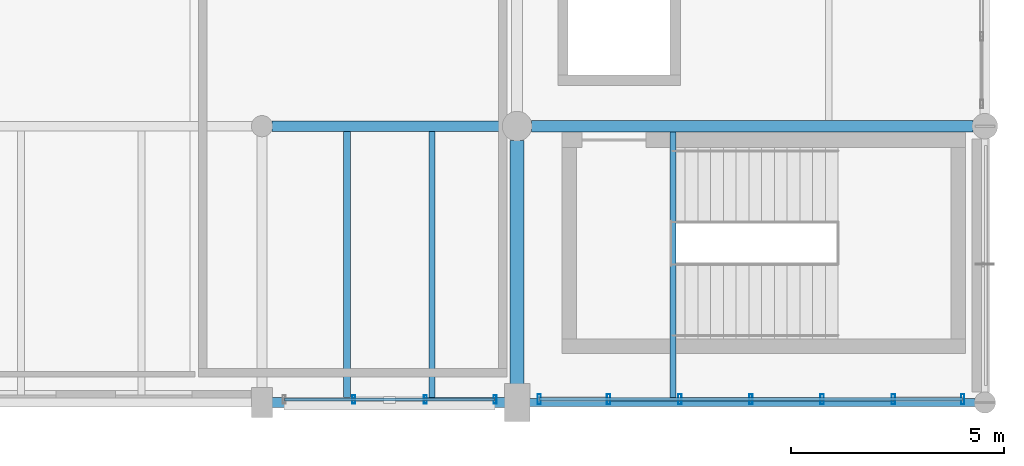
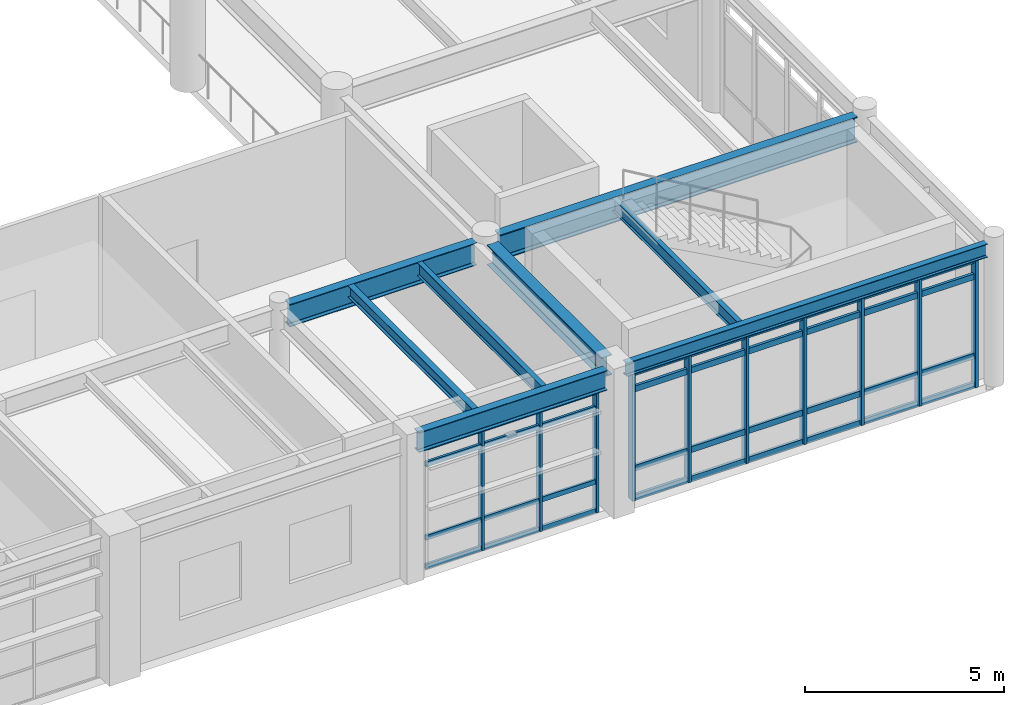
# One storey, part 99 of 168: 18 members, 8 beams, 2 elements without a shape of their own.
"""IFC4 building model written with IfcOpenShell, lengths in metres."""

from ifc_helpers import new_model, si_unit, direction, frame, origin, origin_2d, place, context, subcontext, project, spatial, hollow_rectangle, i_section, extrude, material, material_profile, profile_set, type_object, element, aggregate, save


model = new_model("IFC4")

# Units and contexts
model_context = context("Model", 3, precision=1e-05, world=origin(), true_north=direction((0.0, 1.0)))
body_context = subcontext(model_context, "Body", "Model", "MODEL_VIEW")
ifc_project = project(units=[si_unit("LENGTHUNIT", "METRE"), si_unit("AREAUNIT", "SQUARE_METRE"), si_unit("VOLUMEUNIT", "CUBIC_METRE"), si_unit("PLANEANGLEUNIT", "RADIAN"), si_unit("MASSUNIT", "GRAM", prefix="KILO"), si_unit("THERMODYNAMICTEMPERATUREUNIT", "KELVIN"), si_unit("POWERUNIT", "WATT")], contexts=[model_context])

# Site, building, storey
site_placement = place(None, origin())
site = spatial("IfcSite", under=ifc_project, at=site_placement, CompositionType="ELEMENT")
building_placement = place(site_placement, origin())
building = spatial("IfcBuilding", under=site, at=building_placement, Name="Tepalcoro Natatorium and Aquatics Centre", CompositionType="ELEMENT")
storey_placement = place(building_placement, frame((0.0, 0.0, 10.199951171875)))
storey = spatial("IfcBuildingStorey", under=building, at=storey_placement, Name="L02", CompositionType="ELEMENT", Elevation=10.199951171875)

# Beams
ifc_material_1 = material(Name="Steel ASTM A992 Grade 50 (Fy 345 MPa)", Category="steel")
ifc_material_profile_1 = material_profile(ifc_material_1, i_section(OverallWidth=0.324951171875, OverallDepth=0.616943359375, WebThickness=0.013916015625, FlangeThickness=0.02197265625, FilletRadius=0.013916015625, at=origin_2d()), Name="W24X117")
ifc_profile_set_1 = profile_set([ifc_material_profile_1], Name="Steel ASTM A992 Grade 50 (Fy 345 MPa)")
beam_type_1 = type_object("IfcBeamType", Name="BM_W24x117", PredefinedType="BEAM", material=ifc_profile_set_1)
beam_1_placement = place(storey_placement, frame((165.0, 6.93505859375, 4.056640625), z_axis=(0.0, 1.0, 0.0), x_axis=(-1.0, 0.0, 0.0)))
element("IfcBeam", 1, at=beam_1_placement, inside=storey, type_object=beam_type_1, Name="V2 L02 Grid Girder Y", PredefinedType="BEAM", context=body_context, shape_type="SweptSolid", body=[
    extrude(i_section(OverallWidth=0.324951171875, OverallDepth=0.616943359375, WebThickness=0.013916015625, FlangeThickness=0.02197265625, FilletRadius=0.013916015625, at=origin_2d()), origin(), (0.0, 0.0, 1.0), 5.72998046875),
])
ifc_material_profile_2 = material_profile(ifc_material_1, i_section(OverallWidth=0.25390625, OverallDepth=0.68798828125, WebThickness=0.012939453125, FlangeThickness=0.02099609375, FilletRadius=0.013916015625, at=origin_2d()), Name="W27X102")
ifc_profile_set_2 = profile_set([ifc_material_profile_2], Name="Steel ASTM A992 Grade 50 (Fy 345 MPa)")
beam_type_2 = type_object("IfcBeamType", Name="BM_W27x102", PredefinedType="BEAM", material=ifc_profile_set_2)
beam_2_placement = place(storey_placement, frame((159.235107421875, 13.0, 4.02099609375), z_axis=(1.0, 0.0, 0.0), x_axis=(0.0, 1.0, 0.0)))
element("IfcBeam", 2, at=beam_2_placement, inside=storey, type_object=beam_type_2, Name="V2 L02 Grid Girder X", PredefinedType="BEAM", context=body_context, shape_type="SweptSolid", body=[
    extrude(i_section(OverallWidth=0.25390625, OverallDepth=0.68798828125, WebThickness=0.012939453125, FlangeThickness=0.02099609375, FilletRadius=0.013916015625, at=origin_2d()), origin(), (0.0, 0.0, 1.0), 5.429931640625),
])
ifc_material_profile_3 = material_profile(ifc_material_1, i_section(OverallWidth=0.26708984375, OverallDepth=0.780029296875, WebThickness=0.01708984375, FlangeThickness=0.030029296875, FilletRadius=0.013916015625, at=origin_2d()), Name="W30X148")
ifc_profile_set_3 = profile_set([ifc_material_profile_3], Name="Steel ASTM A992 Grade 50 (Fy 345 MPa)")
beam_type_3 = type_object("IfcBeamType", Name="BM_W30x148", PredefinedType="BEAM", material=ifc_profile_set_3)
beam_3_placement = place(storey_placement, frame((165.3349609375, 13.0, 3.97509765625), z_axis=(1.0, 0.0, 0.0), x_axis=(0.0, 1.0, 0.0)))
element("IfcBeam", 3, at=beam_3_placement, inside=storey, type_object=beam_type_3, Name="V2 L02 Grid Girder X", PredefinedType="BEAM", context=body_context, shape_type="SweptSolid", body=[
    extrude(i_section(OverallWidth=0.26708984375, OverallDepth=0.780029296875, WebThickness=0.01708984375, FlangeThickness=0.030029296875, FilletRadius=0.013916015625, at=origin_2d()), origin(), (0.0, 0.0, 1.0), 10.380126953125),
])

# Curtain wall, members
ifc_material_2 = material(Name="Bronze-Anodised Extruded Aluminium Alloy EN AW-6063 T6", Category="aluminium")
curtain_wall_type_1 = type_object("IfcCurtainWallType", Name="CW_V4_VILLAGE", PredefinedType="USERDEFINED", material=ifc_material_2)
curtain_wall_1_placement = place(storey_placement, origin())
curtain_wall_1 = element("IfcCurtainWall", 4, at=curtain_wall_1_placement, inside=storey, type_object=curtain_wall_type_1, Name="V2 L02 S Unitised Curtain Wall Bay 3", ObjectType="UNITISED STOREFRONT", PredefinedType="USERDEFINED")
ifc_material_profile_4 = material_profile(ifc_material_2, hollow_rectangle(XDim=0.070068359375, YDim=0.199951171875, WallThickness=0.0048828125, at=origin_2d()), Name="AL70X200X5")
ifc_profile_set_4 = profile_set([ifc_material_profile_4], Name="Bronze-Anodised Extruded Aluminium Alloy EN AW-6063 T6")
member_type_1 = type_object("IfcMemberType", Name="CW_MUL_70x200", PredefinedType="MULLION", material=ifc_profile_set_4)
member_1_placement = place(storey_placement, frame((161.159912109375, 6.576171875, 0.02001953125), z_axis=(0.0, 0.0, 1.0), x_axis=(1.0, 0.0, 0.0)))
member_1 = element("IfcMember", 5, at=member_1_placement, type_object=member_type_1, Name="CW_V4_VILLAGE Curtain Wall Mullion", PredefinedType="MULLION", context=body_context, shape_type="SweptSolid", body=[
    extrude(hollow_rectangle(XDim=0.070068359375, YDim=0.199951171875, WallThickness=0.0048828125, at=origin_2d()), origin(), (0.0, 0.0, 1.0), 3.697998046875),
])
member_2_placement = place(storey_placement, frame((162.840087890625, 6.576171875, 0.02001953125), z_axis=(0.0, 0.0, 1.0), x_axis=(1.0, 0.0, 0.0)))
member_2 = element("IfcMember", 6, at=member_2_placement, type_object=member_type_1, Name="CW_V4_VILLAGE Curtain Wall Mullion", PredefinedType="MULLION", context=body_context, shape_type="SweptSolid", body=[
    extrude(hollow_rectangle(XDim=0.070068359375, YDim=0.199951171875, WallThickness=0.0048828125, at=origin_2d()), origin(), (0.0, 0.0, 1.0), 3.697998046875),
])
member_3_placement = place(storey_placement, frame((164.47998046875, 6.576171875, 0.02001953125), z_axis=(0.0, 0.0, 1.0), x_axis=(1.0, 0.0, 0.0)))
member_3 = element("IfcMember", 7, at=member_3_placement, type_object=member_type_1, Name="CW_V4_VILLAGE Curtain Wall Mullion", PredefinedType="MULLION", context=body_context, shape_type="SweptSolid", body=[
    extrude(hollow_rectangle(XDim=0.070068359375, YDim=0.199951171875, WallThickness=0.0048828125, at=origin_2d()), origin(), (0.0, 0.0, 1.0), 3.697998046875),
])

curtain_wall_type_2 = type_object("IfcCurtainWallType", Name="CW_V5_LOWER", PredefinedType="USERDEFINED", material=ifc_material_2)
curtain_wall_2_placement = place(storey_placement, origin())
curtain_wall_2 = element("IfcCurtainWall", 8, at=curtain_wall_2_placement, inside=storey, type_object=curtain_wall_type_2, Name="V2 L02 S Unitised Curtain Wall Bay 4", ObjectType="UNITISED STOREFRONT", PredefinedType="USERDEFINED")
ifc_material_profile_5 = material_profile(ifc_material_2, hollow_rectangle(XDim=0.080078125, YDim=0.239990234375, WallThickness=0.0048828125, at=origin_2d()), Name="AL80X240X5")
ifc_profile_set_5 = profile_set([ifc_material_profile_5], Name="Bronze-Anodised Extruded Aluminium Alloy EN AW-6063 T6")
member_type_2 = type_object("IfcMemberType", Name="CW_MUL_80x240", PredefinedType="MULLION", material=ifc_profile_set_5)
member_4_placement = place(storey_placement, frame((165.52001953125, 6.580078125, 0.02001953125), z_axis=(0.0, 0.0, 1.0), x_axis=(1.0, 0.0, 0.0)))
member_4 = element("IfcMember", 9, at=member_4_placement, type_object=member_type_2, Name="CW_V5_LOWER Curtain Wall Mullion", PredefinedType="MULLION", context=body_context, shape_type="SweptSolid", body=[
    extrude(hollow_rectangle(XDim=0.080078125, YDim=0.239990234375, WallThickness=0.0048828125, at=origin_2d()), origin(), (0.0, 0.0, 1.0), 3.89697265625),
])
member_5_placement = place(storey_placement, frame((167.1533203125, 6.580078125, 0.02001953125), z_axis=(0.0, 0.0, 1.0), x_axis=(1.0, 0.0, 0.0)))
member_5 = element("IfcMember", 10, at=member_5_placement, type_object=member_type_2, Name="CW_V5_LOWER Curtain Wall Mullion", PredefinedType="MULLION", context=body_context, shape_type="SweptSolid", body=[
    extrude(hollow_rectangle(XDim=0.080078125, YDim=0.239990234375, WallThickness=0.0048828125, at=origin_2d()), origin(), (0.0, 0.0, 1.0), 3.89697265625),
])
member_6_placement = place(storey_placement, frame((168.82666015625, 6.580078125, 0.02001953125), z_axis=(0.0, 0.0, 1.0), x_axis=(1.0, 0.0, 0.0)))
member_6 = element("IfcMember", 11, at=member_6_placement, type_object=member_type_2, Name="CW_V5_LOWER Curtain Wall Mullion", PredefinedType="MULLION", context=body_context, shape_type="SweptSolid", body=[
    extrude(hollow_rectangle(XDim=0.080078125, YDim=0.239990234375, WallThickness=0.0048828125, at=origin_2d()), origin(), (0.0, 0.0, 1.0), 3.89697265625),
])
member_7_placement = place(storey_placement, frame((170.5, 6.580078125, 0.02001953125), z_axis=(0.0, 0.0, 1.0), x_axis=(1.0, 0.0, 0.0)))
member_7 = element("IfcMember", 12, at=member_7_placement, type_object=member_type_2, Name="CW_V5_LOWER Curtain Wall Mullion", PredefinedType="MULLION", context=body_context, shape_type="SweptSolid", body=[
    extrude(hollow_rectangle(XDim=0.080078125, YDim=0.239990234375, WallThickness=0.0048828125, at=origin_2d()), origin(), (0.0, 0.0, 1.0), 3.89697265625),
])
member_8_placement = place(storey_placement, frame((172.17333984375, 6.580078125, 0.02001953125), z_axis=(0.0, 0.0, 1.0), x_axis=(1.0, 0.0, 0.0)))
member_8 = element("IfcMember", 13, at=member_8_placement, type_object=member_type_2, Name="CW_V5_LOWER Curtain Wall Mullion", PredefinedType="MULLION", context=body_context, shape_type="SweptSolid", body=[
    extrude(hollow_rectangle(XDim=0.080078125, YDim=0.239990234375, WallThickness=0.0048828125, at=origin_2d()), origin(), (0.0, 0.0, 1.0), 3.89697265625),
])
member_9_placement = place(storey_placement, frame((173.8466796875, 6.580078125, 0.02001953125), z_axis=(0.0, 0.0, 1.0), x_axis=(1.0, 0.0, 0.0)))
member_9 = element("IfcMember", 14, at=member_9_placement, type_object=member_type_2, Name="CW_V5_LOWER Curtain Wall Mullion", PredefinedType="MULLION", context=body_context, shape_type="SweptSolid", body=[
    extrude(hollow_rectangle(XDim=0.080078125, YDim=0.239990234375, WallThickness=0.0048828125, at=origin_2d()), origin(), (0.0, 0.0, 1.0), 3.89697265625),
])
member_10_placement = place(storey_placement, frame((175.47998046875, 6.580078125, 0.02001953125), z_axis=(0.0, 0.0, 1.0), x_axis=(1.0, 0.0, 0.0)))
member_10 = element("IfcMember", 15, at=member_10_placement, type_object=member_type_2, Name="CW_V5_LOWER Curtain Wall Mullion", PredefinedType="MULLION", context=body_context, shape_type="SweptSolid", body=[
    extrude(hollow_rectangle(XDim=0.080078125, YDim=0.239990234375, WallThickness=0.0048828125, at=origin_2d()), origin(), (0.0, 0.0, 1.0), 3.89697265625),
])

# Member
ifc_material_profile_6 = material_profile(ifc_material_2, hollow_rectangle(XDim=0.070068359375, YDim=0.14990234375, WallThickness=0.00390625, at=origin_2d()), Name="AL70X150X4")
ifc_profile_set_6 = profile_set([ifc_material_profile_6], Name="Bronze-Anodised Extruded Aluminium Alloy EN AW-6063 T6")
member_type_3 = type_object("IfcMemberType", Name="CW_TRN_70x150", PredefinedType="USERDEFINED", material=ifc_profile_set_6)
member_11_placement = place(storey_placement, frame((159.530029296875, 6.576171875, 0.050048828125), z_axis=(1.0, 0.0, 0.0), x_axis=(0.0, 1.0, 0.0)))
member_11 = element("IfcMember", 16, at=member_11_placement, type_object=member_type_3, Name="CW_V4_VILLAGE Curtain Wall Transom", ObjectType="TRANSOM", PredefinedType="USERDEFINED", context=body_context, shape_type="SweptSolid", body=[
    extrude(hollow_rectangle(XDim=0.070068359375, YDim=0.14990234375, WallThickness=0.00390625, at=origin_2d()), origin(), (0.0, 0.0, 1.0), 4.93994140625),
])

member_12_placement = place(storey_placement, frame((159.530029296875, 6.576171875, 0.9345703125), z_axis=(1.0, 0.0, 0.0), x_axis=(0.0, 1.0, 0.0)))
member_12 = element("IfcMember", 17, at=member_12_placement, type_object=member_type_3, Name="CW_V4_VILLAGE Curtain Wall Transom", ObjectType="TRANSOM", PredefinedType="USERDEFINED", context=body_context, shape_type="SweptSolid", body=[
    extrude(hollow_rectangle(XDim=0.070068359375, YDim=0.14990234375, WallThickness=0.00390625, at=origin_2d()), origin(), (0.0, 0.0, 1.0), 4.93994140625),
])

member_13_placement = place(storey_placement, frame((159.530029296875, 6.576171875, 3.18798828125), z_axis=(1.0, 0.0, 0.0), x_axis=(0.0, 1.0, 0.0)))
member_13 = element("IfcMember", 18, at=member_13_placement, type_object=member_type_3, Name="CW_V4_VILLAGE Curtain Wall Transom", ObjectType="TRANSOM", PredefinedType="USERDEFINED", context=body_context, shape_type="SweptSolid", body=[
    extrude(hollow_rectangle(XDim=0.070068359375, YDim=0.14990234375, WallThickness=0.00390625, at=origin_2d()), origin(), (0.0, 0.0, 1.0), 4.93994140625),
])

member_14_placement = place(storey_placement, frame((159.530029296875, 6.576171875, 3.68798828125), z_axis=(1.0, 0.0, 0.0), x_axis=(0.0, 1.0, 0.0)))
member_14 = element("IfcMember", 19, at=member_14_placement, type_object=member_type_3, Name="CW_V4_VILLAGE Curtain Wall Transom", ObjectType="TRANSOM", PredefinedType="USERDEFINED", context=body_context, shape_type="SweptSolid", body=[
    extrude(hollow_rectangle(XDim=0.070068359375, YDim=0.14990234375, WallThickness=0.00390625, at=origin_2d()), origin(), (0.0, 0.0, 1.0), 4.93994140625),
])

aggregate(curtain_wall_1, [member_1, member_2, member_3, member_11, member_12, member_13, member_14])

ifc_material_profile_7 = material_profile(ifc_material_2, hollow_rectangle(XDim=0.080078125, YDim=0.179931640625, WallThickness=0.0048828125, at=origin_2d()), Name="AL80X180X5")
ifc_profile_set_7 = profile_set([ifc_material_profile_7], Name="Bronze-Anodised Extruded Aluminium Alloy EN AW-6063 T6")
member_type_4 = type_object("IfcMemberType", Name="CW_TRN_80x180", PredefinedType="USERDEFINED", material=ifc_profile_set_7)
member_15_placement = place(storey_placement, frame((165.530029296875, 6.580078125, 0.050048828125), z_axis=(1.0, 0.0, 0.0), x_axis=(0.0, 1.0, 0.0)))
member_15 = element("IfcMember", 20, at=member_15_placement, type_object=member_type_4, Name="CW_V5_LOWER Curtain Wall Transom", ObjectType="TRANSOM", PredefinedType="USERDEFINED", context=body_context, shape_type="SweptSolid", body=[
    extrude(hollow_rectangle(XDim=0.080078125, YDim=0.179931640625, WallThickness=0.0048828125, at=origin_2d()), origin(), (0.0, 0.0, 1.0), 9.93994140625),
])

member_16_placement = place(storey_placement, frame((165.530029296875, 6.580078125, 0.949951171875), z_axis=(1.0, 0.0, 0.0), x_axis=(0.0, 1.0, 0.0)))
member_16 = element("IfcMember", 21, at=member_16_placement, type_object=member_type_4, Name="CW_V5_LOWER Curtain Wall Transom", ObjectType="TRANSOM", PredefinedType="USERDEFINED", context=body_context, shape_type="SweptSolid", body=[
    extrude(hollow_rectangle(XDim=0.080078125, YDim=0.179931640625, WallThickness=0.0048828125, at=origin_2d()), origin(), (0.0, 0.0, 1.0), 9.93994140625),
])

member_17_placement = place(storey_placement, frame((165.530029296875, 6.580078125, 3.386962890625), z_axis=(1.0, 0.0, 0.0), x_axis=(0.0, 1.0, 0.0)))
member_17 = element("IfcMember", 22, at=member_17_placement, type_object=member_type_4, Name="CW_V5_LOWER Curtain Wall Transom", ObjectType="TRANSOM", PredefinedType="USERDEFINED", context=body_context, shape_type="SweptSolid", body=[
    extrude(hollow_rectangle(XDim=0.080078125, YDim=0.179931640625, WallThickness=0.0048828125, at=origin_2d()), origin(), (0.0, 0.0, 1.0), 9.93994140625),
])

member_18_placement = place(storey_placement, frame((165.530029296875, 6.580078125, 3.886962890625), z_axis=(1.0, 0.0, 0.0), x_axis=(0.0, 1.0, 0.0)))
member_18 = element("IfcMember", 23, at=member_18_placement, type_object=member_type_4, Name="CW_V5_LOWER Curtain Wall Transom", ObjectType="TRANSOM", PredefinedType="USERDEFINED", context=body_context, shape_type="SweptSolid", body=[
    extrude(hollow_rectangle(XDim=0.080078125, YDim=0.179931640625, WallThickness=0.0048828125, at=origin_2d()), origin(), (0.0, 0.0, 1.0), 9.93994140625),
])

aggregate(curtain_wall_2, [member_4, member_5, member_6, member_7, member_8, member_9, member_10, member_15, member_16, member_17, member_18])

# Beams
ifc_material_profile_8 = material_profile(ifc_material_1, i_section(OverallWidth=0.172119140625, OverallDepth=0.35791015625, WebThickness=0.008056640625, FlangeThickness=0.012939453125, FilletRadius=0.013916015625, at=origin_2d()), Name="W14X38")
ifc_profile_set_8 = profile_set([ifc_material_profile_8], Name="Steel ASTM A992 Grade 50 (Fy 345 MPa)")
beam_type_4 = type_object("IfcBeamType", Name="JS_W14x38", PredefinedType="JOIST", material=ifc_profile_set_8)
beam_4_placement = place(storey_placement, frame((161.0, 6.614501953125, 4.18603515625), z_axis=(0.0, 1.0, 0.0), x_axis=(-1.0, 0.0, 0.0)))
element("IfcBeam", 24, at=beam_4_placement, inside=storey, type_object=beam_type_4, Name="V2 L02 Floor Joist", PredefinedType="JOIST", context=body_context, shape_type="SweptSolid", body=[
    extrude(i_section(OverallWidth=0.172119140625, OverallDepth=0.35791015625, WebThickness=0.008056640625, FlangeThickness=0.012939453125, FilletRadius=0.013916015625, at=origin_2d()), origin(), (0.0, 0.0, 1.0), 6.258544921875),
])
ifc_material_profile_9 = material_profile(ifc_material_1, i_section(OverallWidth=0.139892578125, OverallDepth=0.404052734375, WebThickness=0.007080078125, FlangeThickness=0.010986328125, FilletRadius=0.013916015625, at=origin_2d()), Name="W16X31")
ifc_profile_set_9 = profile_set([ifc_material_profile_9], Name="Steel ASTM A992 Grade 50 (Fy 345 MPa)")
beam_type_5 = type_object("IfcBeamType", Name="JS_W16x31", PredefinedType="JOIST", material=ifc_profile_set_9)
beam_5_placement = place(storey_placement, frame((163.0, 6.614501953125, 4.1630859375), z_axis=(0.0, 1.0, 0.0), x_axis=(-1.0, 0.0, 0.0)))
element("IfcBeam", 25, at=beam_5_placement, inside=storey, type_object=beam_type_5, Name="V2 L02 Floor Joist", PredefinedType="JOIST", context=body_context, shape_type="SweptSolid", body=[
    extrude(i_section(OverallWidth=0.139892578125, OverallDepth=0.404052734375, WebThickness=0.007080078125, FlangeThickness=0.010986328125, FilletRadius=0.013916015625, at=origin_2d()), origin(), (0.0, 0.0, 1.0), 6.258544921875),
])
beam_6_placement = place(storey_placement, frame((168.666748046875, 6.590087890625, 4.1630859375), z_axis=(0.0, 1.0, 0.0), x_axis=(-1.0, 0.0, 0.0)))
element("IfcBeam", 26, at=beam_6_placement, inside=storey, type_object=beam_type_5, Name="V2 L02 Floor Joist", PredefinedType="JOIST", context=body_context, shape_type="SweptSolid", body=[
    extrude(i_section(OverallWidth=0.139892578125, OverallDepth=0.404052734375, WebThickness=0.007080078125, FlangeThickness=0.010986328125, FilletRadius=0.013916015625, at=origin_2d()), origin(), (0.0, 0.0, 1.0), 6.2763671875),
])
ifc_material_profile_10 = material_profile(ifc_material_1, i_section(OverallWidth=0.179931640625, OverallDepth=0.4130859375, WebThickness=0.010009765625, FlangeThickness=0.01611328125, FilletRadius=0.013916015625, at=origin_2d()), Name="W16X50")
ifc_profile_set_10 = profile_set([ifc_material_profile_10], Name="Steel ASTM A992 Grade 50 (Fy 345 MPa)")
beam_type_6 = type_object("IfcBeamType", Name="SP_HSS300x200x12", PredefinedType="SPANDREL", material=ifc_profile_set_10)
beam_7_placement = place(storey_placement, frame((165.284912109375, 6.5, 4.158447265625), z_axis=(1.0, 0.0, 0.0), x_axis=(0.0, 1.0, 0.0)))
element("IfcBeam", 27, at=beam_7_placement, inside=storey, type_object=beam_type_6, Name="V2 L02 Grid Girder X", PredefinedType="SPANDREL", context=body_context, shape_type="SweptSolid", body=[
    extrude(i_section(OverallWidth=0.179931640625, OverallDepth=0.4130859375, WebThickness=0.010009765625, FlangeThickness=0.01611328125, FilletRadius=0.013916015625, at=origin_2d()), origin(), (0.0, 0.0, 1.0), 10.47998046875),
])
ifc_material_profile_11 = material_profile(ifc_material_1, i_section(OverallWidth=0.22900390625, OverallDepth=0.612060546875, WebThickness=0.011962890625, FlangeThickness=0.02001953125, FilletRadius=0.013916015625, at=origin_2d()), Name="W24X84")
ifc_profile_set_11 = profile_set([ifc_material_profile_11], Name="Steel ASTM A992 Grade 50 (Fy 345 MPa)")
beam_type_7 = type_object("IfcBeamType", Name="SP_W24x84", PredefinedType="SPANDREL", material=ifc_profile_set_11)
beam_8_placement = place(storey_placement, frame((159.235107421875, 6.5, 4.05908203125), z_axis=(1.0, 0.0, 0.0), x_axis=(0.0, 1.0, 0.0)))
element("IfcBeam", 28, at=beam_8_placement, inside=storey, type_object=beam_type_7, Name="V2 L02 Grid Girder X", PredefinedType="SPANDREL", context=body_context, shape_type="SweptSolid", body=[
    extrude(i_section(OverallWidth=0.22900390625, OverallDepth=0.612060546875, WebThickness=0.011962890625, FlangeThickness=0.02001953125, FilletRadius=0.013916015625, at=origin_2d()), origin(), (0.0, 0.0, 1.0), 5.47998046875),
])

save(model, "model.ifc")
